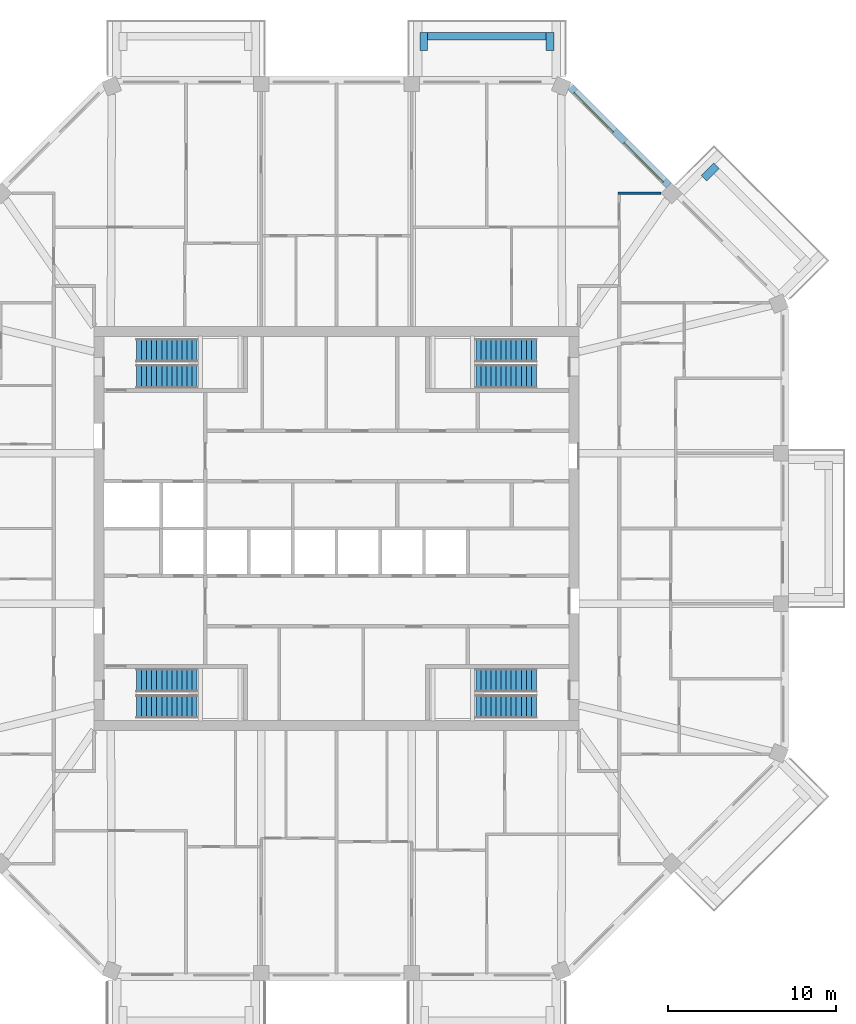
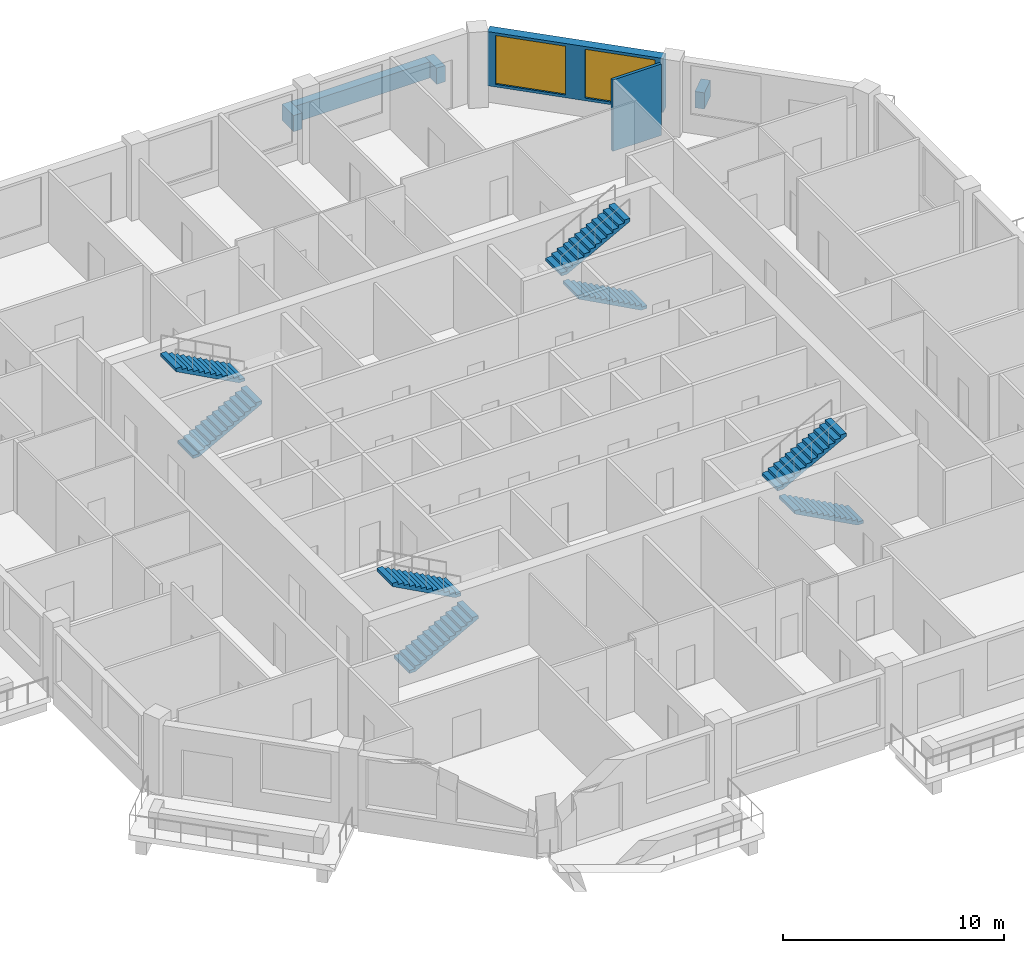
# One storey, part 10 of 12: 8 stair flights, 6 walls, 2 windows, 2 openings, 4 elements without a shape of their own.
"""IFC4 building model written with IfcOpenShell, lengths in metres."""

from ifc_helpers import new_model, si_unit, direction, frame, frame_2d, origin, place, context, subcontext, project, spatial, polyline, rectangle, outline, extrude, material, layer, layer_set, type_object, element, fill, aggregate, save


model = new_model("IFC4")

# Units and contexts
model_context = context("Model", 3, precision=1e-05, world=origin(), true_north=direction((0.0, 1.0)))
body_context = subcontext(model_context, "Body", "Model", "MODEL_VIEW")
ifc_project = project(units=[si_unit("LENGTHUNIT", "METRE"), si_unit("AREAUNIT", "SQUARE_METRE"), si_unit("VOLUMEUNIT", "CUBIC_METRE"), si_unit("PLANEANGLEUNIT", "RADIAN"), si_unit("MASSUNIT", "GRAM", prefix="KILO")], contexts=[model_context])

# Site, building, storey
site_placement = place(None, origin())
site = spatial("IfcSite", under=ifc_project, at=site_placement, CompositionType="ELEMENT")
building_placement = place(site_placement, origin())
building = spatial("IfcBuilding", under=site, at=building_placement, Name="Msitu Wima Residences", CompositionType="ELEMENT")
storey_placement = place(building_placement, frame((0.0, 0.0, 251.699951171875)))
storey = spatial("IfcBuildingStorey", under=building, at=storey_placement, Name="L58", CompositionType="ELEMENT", Elevation=251.699951171875)

# Walls
ifc_material_1 = material(Name="Facing brick")
ifc_layer_1 = layer(ifc_material_1, 0.06494140625, Name="Facing brick")
ifc_material_2 = material(Name="Concrete C40/50", Category="concrete")
ifc_layer_2 = layer(ifc_material_2, 0.156005859375, Name="Concrete C40/50")
ifc_material_3 = material(Name="Waterproofing membrane")
ifc_layer_3 = layer(ifc_material_3, 0.00390625, Name="Waterproofing membrane")
ifc_material_4 = material(Name="Planting soil and planting")
ifc_layer_4 = layer(ifc_material_4, 0.22509765625, Name="Planting soil and planting")
ifc_layer_set_1 = layer_set([ifc_layer_1, ifc_layer_2, ifc_layer_3, ifc_layer_4], Name="Concrete C40/50")
wall_type_1 = type_object("IfcWallType", Name="Balcony planter PLANTER PL450", PredefinedType="USERDEFINED", material=ifc_layer_set_1)
wall_1_placement = place(storey_placement, frame((21.829833984375, 20.804443359375, 0.0), z_axis=(0.0, 0.0, 1.0), x_axis=(0.707106781187, 0.707106781187, 0.0)))
element("IfcWall", 1, at=wall_1_placement, inside=storey, type_object=wall_type_1, Name="Balcony planter NE0 L58", ObjectType="PLANTER", PredefinedType="USERDEFINED", context=body_context, shape_type="SweptSolid", body=[
    extrude(rectangle(XDim=1.050048828125, YDim=0.449951171875, at=frame_2d((0.52490234375, 0.0))), origin(), (0.0, 0.0, 1.0), 0.900146484375),
])
wall_2_placement = place(storey_placement, frame((12.455810546875, 29.22509765625, 0.0), z_axis=(0.0, 0.0, 1.0), x_axis=(-1.0, 0.0, 0.0)))
element("IfcWall", 2, at=wall_2_placement, inside=storey, type_object=wall_type_1, Name="Balcony planter N0 L58", ObjectType="PLANTER", PredefinedType="USERDEFINED", context=body_context, shape_type="SweptSolid", body=[
    extrude(rectangle(XDim=7.037109375, YDim=0.449951171875, at=frame_2d((3.5185546875, 0.0))), origin(), (0.0, 0.0, 1.0), 0.900146484375),
])
for number, where, z_axis, x_axis, name in (
    (3, (12.680908203125, 28.39990234375, 0.0), (0.0, 0.0, 1.0), (0.0, 1.0, 0.0), "Balcony planter N0 L58"),
    (4, (5.193603515625, 28.39990234375, 0.0), (0.0, 0.0, 1.0), (0.0, 1.0, 0.0), "Balcony planter N0 L58"),
):
    element("IfcWall", number, at=place(storey_placement, frame(where, z_axis=z_axis, x_axis=x_axis)), inside=storey, type_object=wall_type_1, Name=name, ObjectType="PLANTER", PredefinedType="USERDEFINED", context=body_context, shape_type="SweptSolid", body=[
        extrude(rectangle(XDim=1.050048828125, YDim=0.449951171875, at=frame_2d((0.52490234375, 0.0))), origin(), (0.0, 0.0, 1.0), 0.900146484375),
    ])

# Wall, openings, windows
ifc_material_5 = material(Name="Brick (red buff mix)", Category="masonry")
ifc_layer_5 = layer(ifc_material_5, 0.449951171875)
ifc_layer_set_2 = layer_set([ifc_layer_5], Name="Brick (red buff mix)")
wall_type_2 = type_object("IfcWallType", Name="Brick infill wall BW450", PredefinedType="SOLIDWALL", material=ifc_layer_set_2)
wall_3_placement = place(storey_placement, frame((19.743896484375, 20.380126953125, 0.900146484375), z_axis=(0.0, 0.0, 1.0), x_axis=(-0.707106781187, 0.707106781187, 0.0)))
wall_3 = element("IfcWall", 5, at=wall_3_placement, inside=storey, type_object=wall_type_2, Name="Brick infill wall L58 NE1", PredefinedType="SOLIDWALL", context=body_context, shape_type="SweptSolid", body=[
    extrude(rectangle(XDim=8.251220703125, YDim=0.449951171875, at=frame_2d((4.12548828125, 0.0))), origin(), (0.0, 0.0, 1.0), 3.0),
])
opening_1_placement = place(wall_3_placement, frame((0.37548828125, 0.0, 0.14990234375)))
opening_1 = element("IfcOpeningElement", 6, at=opening_1_placement, cuts=wall_3, Name="Opening W57-59.011", PredefinedType="OPENING", context=body_context, shape_type="SweptSolid", body=[
    extrude(rectangle(XDim=3.300048828125, YDim=2.699951171875, at=frame_2d((1.64990234375, 1.35009765625))), frame((0.0, 0.23486328125, 0.0), z_axis=(0.0, -1.0, 0.0), x_axis=(1.0, 0.0, 0.0)), (0.0, 0.0, 1.0), 0.469970703125),
])
opening_2_placement = place(wall_3_placement, frame((4.57568359375, 0.0, 0.14990234375)))
opening_2 = element("IfcOpeningElement", 7, at=opening_2_placement, cuts=wall_3, Name="Opening W57-59.012", PredefinedType="OPENING", context=body_context, shape_type="SweptSolid", body=[
    extrude(rectangle(XDim=3.300048828125, YDim=2.699951171875, at=frame_2d((1.64990234375, 1.35009765625))), frame((0.0, 0.23486328125, 0.0), z_axis=(0.0, -1.0, 0.0), x_axis=(1.0, 0.0, 0.0)), (0.0, 0.0, 1.0), 0.469970703125),
])
ifc_material_6 = material(Name="Anodised aluminium, bronze finish, clear low-emissivity double glazing", Category="aluminium")
window_type = type_object("IfcWindowType", Name="Window W3300x2700", PartitioningType="DOUBLE_PANEL_VERTICAL", PredefinedType="WINDOW", material=ifc_material_6)
window_1_placement = place(opening_1_placement, origin())
window_1 = element("IfcWindow", 8, at=window_1_placement, inside=storey, type_object=window_type, Name="Window L58 NE1.1", OverallHeight=2.699951171875, OverallWidth=3.300048828125, PartitioningType="SINGLE_PANEL", PredefinedType="WINDOW", context=body_context, shape_type="SweptSolid", body=[
    extrude(rectangle(XDim=3.300048828125, YDim=2.699951171875, at=frame_2d((1.64990234375, 1.35009765625))), frame((0.0, 0.135009765625, 0.0), z_axis=(0.0, -1.0, 0.0), x_axis=(1.0, 0.0, 0.0)), (0.0, 0.0, 1.0), 0.06005859375),
])
fill(opening_1, window_1)
window_2_placement = place(opening_2_placement, origin())
window_2 = element("IfcWindow", 9, at=window_2_placement, inside=storey, type_object=window_type, Name="Window L58 NE1.2", OverallHeight=2.699951171875, OverallWidth=3.300048828125, PartitioningType="SINGLE_PANEL", PredefinedType="WINDOW", context=body_context, shape_type="SweptSolid", body=[
    extrude(rectangle(XDim=3.300048828125, YDim=2.699951171875, at=frame_2d((1.64990234375, 1.35009765625))), frame((0.0, 0.135009765625, 0.0), z_axis=(0.0, -1.0, 0.0), x_axis=(1.0, 0.0, 0.0)), (0.0, 0.0, 1.0), 0.06005859375),
])
fill(opening_2, window_2)

# Wall
ifc_material_7 = material(Name="Plaster")
ifc_layer_6 = layer(ifc_material_7, 0.011962890625, Name="Plaster")
ifc_material_8 = material(Name="Concrete blockwork", Category="masonry")
ifc_layer_7 = layer(ifc_material_8, 0.1259765625, Name="Concrete blockwork")
ifc_layer_8 = layer(ifc_material_7, 0.011962890625, Name="Plaster")
ifc_layer_set_3 = layer_set([ifc_layer_6, ifc_layer_7, ifc_layer_8], Name="Concrete blockwork")
wall_type_3 = type_object("IfcWallType", Name="Partition PW150", PredefinedType="PARTITIONING", material=ifc_layer_set_3)
wall_4_placement = place(storey_placement, frame((16.72509765625, 19.90283203125, 0.0), z_axis=(0.0, 0.0, 1.0), x_axis=(1.0, 0.0, 0.0)))
element("IfcWall", 10, at=wall_4_placement, inside=storey, type_object=wall_type_3, Name="Partition", PredefinedType="PARTITIONING", context=body_context, shape_type="SweptSolid", body=[
    extrude(rectangle(XDim=2.54150390625, YDim=0.14990234375, at=frame_2d((1.270751953125, 0.0))), origin(), (0.0, 0.0, 1.0), 3.949951171875),
])

# Stair, stair flights
stair_type = type_object("IfcStairType", Name="Exit stair ES1615-140", PredefinedType="HALF_TURN_STAIR", material=ifc_material_2)
stair_1_placement = place(storey_placement, origin())
stair_1 = element("IfcStair", 11, at=stair_1_placement, inside=storey, type_object=stair_type, Name="Exit stair 1", PredefinedType="HALF_TURN_STAIR")
stair_flight_type = type_object("IfcStairFlightType", Name="Exit stair flight ES1615-140", PredefinedType="STRAIGHT", material=ifc_material_2)
stair_flight_1_placement = place(storey_placement, frame((-11.875, 9.02490234375, 0.0), z_axis=(0.0, 0.0, 1.0), x_axis=(1.0, 0.0, 0.0)))
stair_flight_1 = element("IfcStairFlight", 12, at=stair_flight_1_placement, type_object=stair_flight_type, Name="S1 flight 1", NumberOfRisers=13, NumberOfTreads=12, PredefinedType="STRAIGHT", RiserHeight=0.161538462, TreadLength=0.3, context=body_context, shape_type="SweptSolid", body=[
    extrude(outline(polyline([(0.0, 0.0), (0.0, 0.16162109375), (0.300048828125, 0.16162109375), (0.300048828125, 0.322998046875), (0.60009765625, 0.322998046875), (0.60009765625, 0.484619140625), (0.89990234375, 0.484619140625), (0.89990234375, 0.646240234375), (1.199951171875, 0.646240234375), (1.199951171875, 0.8076171875), (1.5, 0.8076171875), (1.5, 0.96923828125), (1.800048828125, 0.96923828125), (1.800048828125, 1.130859375), (2.10009765625, 1.130859375), (2.10009765625, 1.292236328125), (2.39990234375, 1.292236328125), (2.39990234375, 1.453857421875), (2.699951171875, 1.453857421875), (2.699951171875, 1.615478515625), (3.0, 1.615478515625), (3.0, 1.77685546875), (3.300048828125, 1.77685546875), (3.300048828125, 1.9384765625), (3.60009765625, 1.9384765625), (3.60009765625, 2.10009765625), (3.60009765625, 1.768310546875), (0.316162109375, 0.0), (0.0, 0.0)])), frame((0.0, 0.699951171875, 0.0), z_axis=(0.0, -1.0, 0.0), x_axis=(1.0, 0.0, 0.0)), (0.0, 0.0, 1.0), 1.39990234375),
])
stair_flight_2_placement = place(storey_placement, frame((-8.27490234375, 10.574951171875, 2.10009765625), z_axis=(0.0, 0.0, 1.0), x_axis=(-1.0, 0.0, 0.0)))
stair_flight_2 = element("IfcStairFlight", 13, at=stair_flight_2_placement, type_object=stair_flight_type, Name="S1 flight 2", NumberOfRisers=13, NumberOfTreads=12, PredefinedType="STRAIGHT", RiserHeight=0.161538462, TreadLength=0.3, context=body_context, shape_type="SweptSolid", body=[
    extrude(outline(polyline([(0.0, 0.0), (0.0, 0.16162109375), (0.300048828125, 0.16162109375), (0.300048828125, 0.322998046875), (0.60009765625, 0.322998046875), (0.60009765625, 0.484619140625), (0.89990234375, 0.484619140625), (0.89990234375, 0.646240234375), (1.199951171875, 0.646240234375), (1.199951171875, 0.8076171875), (1.5, 0.8076171875), (1.5, 0.96923828125), (1.800048828125, 0.96923828125), (1.800048828125, 1.130859375), (2.10009765625, 1.130859375), (2.10009765625, 1.292236328125), (2.39990234375, 1.292236328125), (2.39990234375, 1.453857421875), (2.699951171875, 1.453857421875), (2.699951171875, 1.615478515625), (3.0, 1.615478515625), (3.0, 1.77685546875), (3.300048828125, 1.77685546875), (3.300048828125, 1.9384765625), (3.60009765625, 1.9384765625), (3.60009765625, 2.10009765625), (3.60009765625, 1.768310546875), (0.316162109375, 0.0), (0.0, 0.0)])), frame((0.0, 0.699951171875, 0.0), z_axis=(0.0, -1.0, 0.0), x_axis=(1.0, 0.0, 0.0)), (0.0, 0.0, 1.0), 1.39990234375),
])
aggregate(stair_1, [stair_flight_1, stair_flight_2])

stair_2_placement = place(storey_placement, origin())
stair_2 = element("IfcStair", 14, at=stair_2_placement, inside=storey, type_object=stair_type, Name="Exit stair 2", PredefinedType="HALF_TURN_STAIR")
stair_flight_3_placement = place(storey_placement, frame((-11.875, -10.574951171875, 0.0), z_axis=(0.0, 0.0, 1.0), x_axis=(1.0, 0.0, 0.0)))
stair_flight_3 = element("IfcStairFlight", 15, at=stair_flight_3_placement, type_object=stair_flight_type, Name="S2 flight 1", NumberOfRisers=13, NumberOfTreads=12, PredefinedType="STRAIGHT", RiserHeight=0.161538462, TreadLength=0.3, context=body_context, shape_type="SweptSolid", body=[
    extrude(outline(polyline([(0.0, 0.0), (0.0, 0.16162109375), (0.300048828125, 0.16162109375), (0.300048828125, 0.322998046875), (0.60009765625, 0.322998046875), (0.60009765625, 0.484619140625), (0.89990234375, 0.484619140625), (0.89990234375, 0.646240234375), (1.199951171875, 0.646240234375), (1.199951171875, 0.8076171875), (1.5, 0.8076171875), (1.5, 0.96923828125), (1.800048828125, 0.96923828125), (1.800048828125, 1.130859375), (2.10009765625, 1.130859375), (2.10009765625, 1.292236328125), (2.39990234375, 1.292236328125), (2.39990234375, 1.453857421875), (2.699951171875, 1.453857421875), (2.699951171875, 1.615478515625), (3.0, 1.615478515625), (3.0, 1.77685546875), (3.300048828125, 1.77685546875), (3.300048828125, 1.9384765625), (3.60009765625, 1.9384765625), (3.60009765625, 2.10009765625), (3.60009765625, 1.768310546875), (0.316162109375, 0.0), (0.0, 0.0)])), frame((0.0, 0.699951171875, 0.0), z_axis=(0.0, -1.0, 0.0), x_axis=(1.0, 0.0, 0.0)), (0.0, 0.0, 1.0), 1.39990234375),
])
stair_flight_4_placement = place(storey_placement, frame((-8.27490234375, -9.02490234375, 2.10009765625), z_axis=(0.0, 0.0, 1.0), x_axis=(-1.0, 0.0, 0.0)))
stair_flight_4 = element("IfcStairFlight", 16, at=stair_flight_4_placement, type_object=stair_flight_type, Name="S2 flight 2", NumberOfRisers=13, NumberOfTreads=12, PredefinedType="STRAIGHT", RiserHeight=0.161538462, TreadLength=0.3, context=body_context, shape_type="SweptSolid", body=[
    extrude(outline(polyline([(0.0, 0.0), (0.0, 0.16162109375), (0.300048828125, 0.16162109375), (0.300048828125, 0.322998046875), (0.60009765625, 0.322998046875), (0.60009765625, 0.484619140625), (0.89990234375, 0.484619140625), (0.89990234375, 0.646240234375), (1.199951171875, 0.646240234375), (1.199951171875, 0.8076171875), (1.5, 0.8076171875), (1.5, 0.96923828125), (1.800048828125, 0.96923828125), (1.800048828125, 1.130859375), (2.10009765625, 1.130859375), (2.10009765625, 1.292236328125), (2.39990234375, 1.292236328125), (2.39990234375, 1.453857421875), (2.699951171875, 1.453857421875), (2.699951171875, 1.615478515625), (3.0, 1.615478515625), (3.0, 1.77685546875), (3.300048828125, 1.77685546875), (3.300048828125, 1.9384765625), (3.60009765625, 1.9384765625), (3.60009765625, 2.10009765625), (3.60009765625, 1.768310546875), (0.316162109375, 0.0), (0.0, 0.0)])), frame((0.0, 0.699951171875, 0.0), z_axis=(0.0, -1.0, 0.0), x_axis=(1.0, 0.0, 0.0)), (0.0, 0.0, 1.0), 1.39990234375),
])
aggregate(stair_2, [stair_flight_3, stair_flight_4])

stair_3_placement = place(storey_placement, origin())
stair_3 = element("IfcStair", 17, at=stair_3_placement, inside=storey, type_object=stair_type, Name="Exit stair 3", PredefinedType="HALF_TURN_STAIR")
stair_flight_5_placement = place(storey_placement, frame((11.875, 9.02490234375, 0.0), z_axis=(0.0, 0.0, 1.0), x_axis=(-1.0, 0.0, 0.0)))
stair_flight_5 = element("IfcStairFlight", 18, at=stair_flight_5_placement, type_object=stair_flight_type, Name="S3 flight 1", NumberOfRisers=13, NumberOfTreads=12, PredefinedType="STRAIGHT", RiserHeight=0.161538462, TreadLength=0.3, context=body_context, shape_type="SweptSolid", body=[
    extrude(outline(polyline([(0.0, 0.0), (0.0, 0.16162109375), (0.300048828125, 0.16162109375), (0.300048828125, 0.322998046875), (0.60009765625, 0.322998046875), (0.60009765625, 0.484619140625), (0.89990234375, 0.484619140625), (0.89990234375, 0.646240234375), (1.199951171875, 0.646240234375), (1.199951171875, 0.8076171875), (1.5, 0.8076171875), (1.5, 0.96923828125), (1.800048828125, 0.96923828125), (1.800048828125, 1.130859375), (2.10009765625, 1.130859375), (2.10009765625, 1.292236328125), (2.39990234375, 1.292236328125), (2.39990234375, 1.453857421875), (2.699951171875, 1.453857421875), (2.699951171875, 1.615478515625), (3.0, 1.615478515625), (3.0, 1.77685546875), (3.300048828125, 1.77685546875), (3.300048828125, 1.9384765625), (3.60009765625, 1.9384765625), (3.60009765625, 2.10009765625), (3.60009765625, 1.768310546875), (0.316162109375, 0.0), (0.0, 0.0)])), frame((0.0, 0.699951171875, 0.0), z_axis=(0.0, -1.0, 0.0), x_axis=(1.0, 0.0, 0.0)), (0.0, 0.0, 1.0), 1.39990234375),
])
stair_flight_6_placement = place(storey_placement, frame((8.27490234375, 10.574951171875, 2.10009765625), z_axis=(0.0, 0.0, 1.0), x_axis=(1.0, 0.0, 0.0)))
stair_flight_6 = element("IfcStairFlight", 19, at=stair_flight_6_placement, type_object=stair_flight_type, Name="S3 flight 2", NumberOfRisers=13, NumberOfTreads=12, PredefinedType="STRAIGHT", RiserHeight=0.161538462, TreadLength=0.3, context=body_context, shape_type="SweptSolid", body=[
    extrude(outline(polyline([(0.0, 0.0), (0.0, 0.16162109375), (0.300048828125, 0.16162109375), (0.300048828125, 0.322998046875), (0.60009765625, 0.322998046875), (0.60009765625, 0.484619140625), (0.89990234375, 0.484619140625), (0.89990234375, 0.646240234375), (1.199951171875, 0.646240234375), (1.199951171875, 0.8076171875), (1.5, 0.8076171875), (1.5, 0.96923828125), (1.800048828125, 0.96923828125), (1.800048828125, 1.130859375), (2.10009765625, 1.130859375), (2.10009765625, 1.292236328125), (2.39990234375, 1.292236328125), (2.39990234375, 1.453857421875), (2.699951171875, 1.453857421875), (2.699951171875, 1.615478515625), (3.0, 1.615478515625), (3.0, 1.77685546875), (3.300048828125, 1.77685546875), (3.300048828125, 1.9384765625), (3.60009765625, 1.9384765625), (3.60009765625, 2.10009765625), (3.60009765625, 1.768310546875), (0.316162109375, 0.0), (0.0, 0.0)])), frame((0.0, 0.699951171875, 0.0), z_axis=(0.0, -1.0, 0.0), x_axis=(1.0, 0.0, 0.0)), (0.0, 0.0, 1.0), 1.39990234375),
])
aggregate(stair_3, [stair_flight_5, stair_flight_6])

stair_4_placement = place(storey_placement, origin())
stair_4 = element("IfcStair", 20, at=stair_4_placement, inside=storey, type_object=stair_type, Name="Exit stair 4", PredefinedType="HALF_TURN_STAIR")
stair_flight_7_placement = place(storey_placement, frame((11.875, -10.574951171875, 0.0), z_axis=(0.0, 0.0, 1.0), x_axis=(-1.0, 0.0, 0.0)))
stair_flight_7 = element("IfcStairFlight", 21, at=stair_flight_7_placement, type_object=stair_flight_type, Name="S4 flight 1", NumberOfRisers=13, NumberOfTreads=12, PredefinedType="STRAIGHT", RiserHeight=0.161538462, TreadLength=0.3, context=body_context, shape_type="SweptSolid", body=[
    extrude(outline(polyline([(0.0, 0.0), (0.0, 0.16162109375), (0.300048828125, 0.16162109375), (0.300048828125, 0.322998046875), (0.60009765625, 0.322998046875), (0.60009765625, 0.484619140625), (0.89990234375, 0.484619140625), (0.89990234375, 0.646240234375), (1.199951171875, 0.646240234375), (1.199951171875, 0.8076171875), (1.5, 0.8076171875), (1.5, 0.96923828125), (1.800048828125, 0.96923828125), (1.800048828125, 1.130859375), (2.10009765625, 1.130859375), (2.10009765625, 1.292236328125), (2.39990234375, 1.292236328125), (2.39990234375, 1.453857421875), (2.699951171875, 1.453857421875), (2.699951171875, 1.615478515625), (3.0, 1.615478515625), (3.0, 1.77685546875), (3.300048828125, 1.77685546875), (3.300048828125, 1.9384765625), (3.60009765625, 1.9384765625), (3.60009765625, 2.10009765625), (3.60009765625, 1.768310546875), (0.316162109375, 0.0), (0.0, 0.0)])), frame((0.0, 0.699951171875, 0.0), z_axis=(0.0, -1.0, 0.0), x_axis=(1.0, 0.0, 0.0)), (0.0, 0.0, 1.0), 1.39990234375),
])
stair_flight_8_placement = place(storey_placement, frame((8.27490234375, -9.02490234375, 2.10009765625), z_axis=(0.0, 0.0, 1.0), x_axis=(1.0, 0.0, 0.0)))
stair_flight_8 = element("IfcStairFlight", 22, at=stair_flight_8_placement, type_object=stair_flight_type, Name="S4 flight 2", NumberOfRisers=13, NumberOfTreads=12, PredefinedType="STRAIGHT", RiserHeight=0.161538462, TreadLength=0.3, context=body_context, shape_type="SweptSolid", body=[
    extrude(outline(polyline([(0.0, 0.0), (0.0, 0.16162109375), (0.300048828125, 0.16162109375), (0.300048828125, 0.322998046875), (0.60009765625, 0.322998046875), (0.60009765625, 0.484619140625), (0.89990234375, 0.484619140625), (0.89990234375, 0.646240234375), (1.199951171875, 0.646240234375), (1.199951171875, 0.8076171875), (1.5, 0.8076171875), (1.5, 0.96923828125), (1.800048828125, 0.96923828125), (1.800048828125, 1.130859375), (2.10009765625, 1.130859375), (2.10009765625, 1.292236328125), (2.39990234375, 1.292236328125), (2.39990234375, 1.453857421875), (2.699951171875, 1.453857421875), (2.699951171875, 1.615478515625), (3.0, 1.615478515625), (3.0, 1.77685546875), (3.300048828125, 1.77685546875), (3.300048828125, 1.9384765625), (3.60009765625, 1.9384765625), (3.60009765625, 2.10009765625), (3.60009765625, 1.768310546875), (0.316162109375, 0.0), (0.0, 0.0)])), frame((0.0, 0.699951171875, 0.0), z_axis=(0.0, -1.0, 0.0), x_axis=(1.0, 0.0, 0.0)), (0.0, 0.0, 1.0), 1.39990234375),
])
aggregate(stair_4, [stair_flight_7, stair_flight_8])

save(model, "model.ifc")
